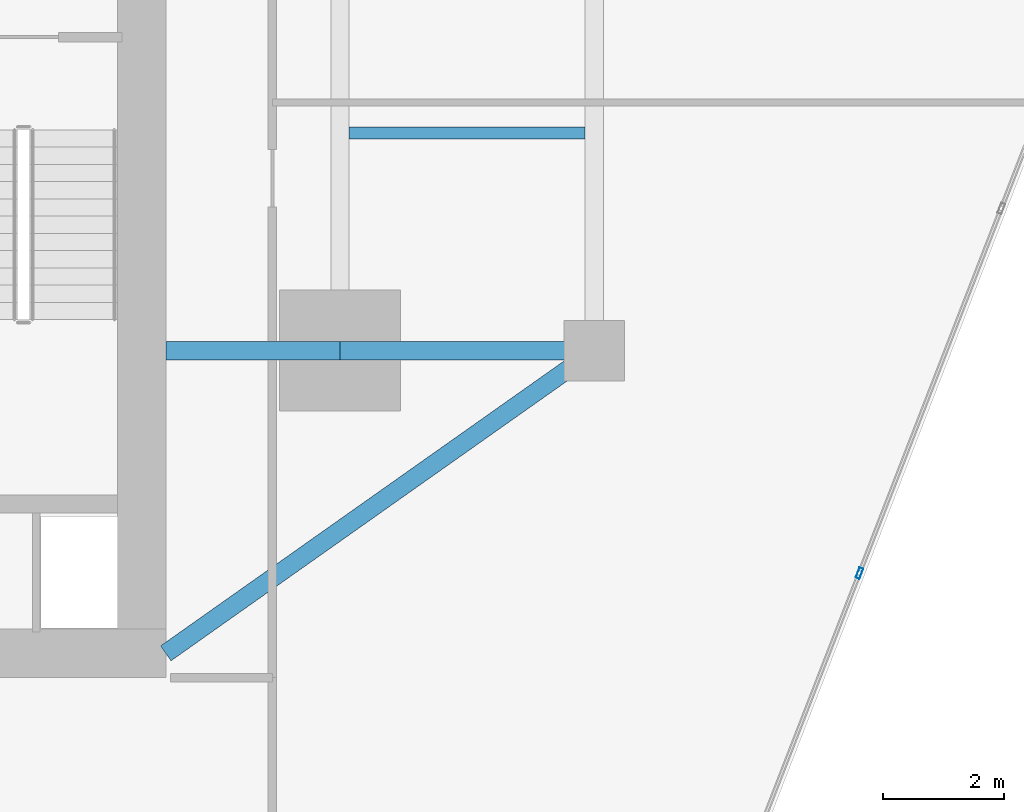
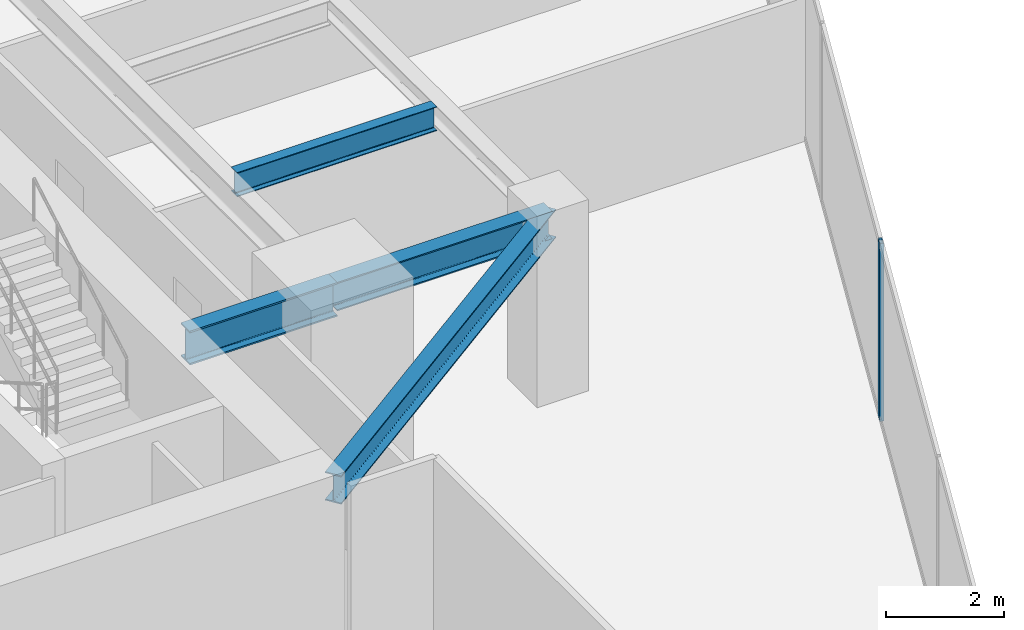
# One storey, part 10 of 26: 4 beams, 1 member, 1 element without a shape of its own.
"""IFC4 building model written with IfcOpenShell, lengths in metres."""

from ifc_helpers import new_model, si_unit, direction, frame, origin, origin_2d, place, context, subcontext, project, spatial, hollow_rectangle, i_section, extrude, source, transform, mapped, material, material_profile, profile_set, type_object, type_shapes, element, aggregate, save


model = new_model("IFC4")

# Units and contexts
model_context = context("Model", 3, precision=1e-05, world=origin(), true_north=direction((0.0, 1.0)))
body_context = subcontext(model_context, "Body", "Model", "MODEL_VIEW")
ifc_project = project(units=[si_unit("LENGTHUNIT", "METRE"), si_unit("AREAUNIT", "SQUARE_METRE"), si_unit("VOLUMEUNIT", "CUBIC_METRE"), si_unit("PLANEANGLEUNIT", "RADIAN"), si_unit("MASSUNIT", "GRAM", prefix="KILO")], contexts=[model_context])

# Site, building, storey
site_placement = place(None, origin())
site = spatial("IfcSite", under=ifc_project, at=site_placement, CompositionType="ELEMENT")
building_placement = place(site_placement, origin())
building = spatial("IfcBuilding", under=site, at=building_placement, Name="Krantzveldt Concourse Tower", CompositionType="ELEMENT")
storey_placement = place(building_placement, frame((0.0, 0.0, 133.5)))
storey = spatial("IfcBuildingStorey", under=building, at=storey_placement, Name="L32", CompositionType="ELEMENT", Elevation=133.5)

# Beams
ifc_material_1 = material(Name="Steel S355J2", Category="steel")
ifc_material_profile_1 = material_profile(ifc_material_1, i_section(OverallWidth=0.300048828125, OverallDepth=0.699951171875, WebThickness=0.01708984375, FlangeThickness=0.031982421875, FilletRadius=0.027099609375, at=origin_2d()), Name="Steel S355J2", Category="steel")
ifc_profile_set_1 = profile_set([ifc_material_profile_1], Name="Steel S355J2 - HEB 700")
beam_type_1 = type_object("IfcBeamType", Name="BM-B-HEB700", PredefinedType="BEAM", material=ifc_profile_set_1)
shared_shape_1 = source(origin(), body_context, "Body", "SweptSolid", [
    extrude(i_section(OverallWidth=0.300048828125, OverallDepth=0.699951171875, WebThickness=0.01708984375, FlangeThickness=0.031982421875, FilletRadius=0.027099609375, at=origin_2d()), origin(), (0.0, 0.0, 1.0), 2.880126953125),
])
type_shapes(beam_type_1, [shared_shape_1])
beam_1_placement = place(storey_placement, frame((43.919921875, 15.89990234375, 3.320068359375), z_axis=(1.0, 0.0, 0.0), x_axis=(0.0, 1.0, 0.0)))
element("IfcBeam", 1, at=beam_1_placement, inside=storey, type_object=beam_type_1, Name="L32 Tower Girder BG-CE1", PredefinedType="BEAM", context=body_context, shape_type="MappedRepresentation", body=[
    mapped(shared_shape_1, transform((0.0, 0.0, 0.0), x_axis=(1.0, 0.0, 0.0), y_axis=(0.0, 1.0, 0.0), z_axis=(0.0, 0.0, 1.0), scale=1.0)),
])
ifc_material_2 = material(Name="Steel S355JR", Category="steel")
ifc_material_profile_2 = material_profile(ifc_material_2, i_section(OverallWidth=0.300048828125, OverallDepth=0.590087890625, WebThickness=0.012939453125, FlangeThickness=0.02490234375, FilletRadius=0.027099609375, at=origin_2d()), Name="Steel S355JR", Category="steel")
ifc_profile_set_2 = profile_set([ifc_material_profile_2], Name="Steel S355JR - HEA 600")
beam_type_2 = type_object("IfcBeamType", Name="BM-B-HEA600", PredefinedType="BEAM", material=ifc_profile_set_2)
shared_shape_2 = source(origin(), body_context, "Body", "SweptSolid", [
    extrude(i_section(OverallWidth=0.300048828125, OverallDepth=0.590087890625, WebThickness=0.012939453125, FlangeThickness=0.02490234375, FilletRadius=0.027099609375, at=origin_2d()), origin(), (0.0, 0.0, 1.0), 4.199951171875),
])
beam_2_placement = place(storey_placement, frame((46.800048828125, 15.89990234375, 3.375), z_axis=(1.0, 0.0, 0.0), x_axis=(0.0, 1.0, 0.0)))
element("IfcBeam", 2, at=beam_2_placement, inside=storey, type_object=beam_type_2, Name="L32 Tower Girder BR-RR1", PredefinedType="BEAM", context=body_context, shape_type="MappedRepresentation", body=[
    mapped(shared_shape_2, transform((0.0, 0.0, 0.0), x_axis=(1.0, 0.0, 0.0), y_axis=(0.0, 1.0, 0.0), z_axis=(0.0, 0.0, 1.0), scale=1.0)),
])
shared_shape_3 = source(origin(), body_context, "Body", "SweptSolid", [
    extrude(i_section(OverallWidth=0.300048828125, OverallDepth=0.590087890625, WebThickness=0.012939453125, FlangeThickness=0.02490234375, FilletRadius=0.027099609375, at=origin_2d()), origin(), (0.0, 0.0, 1.0), 8.667724609375),
])
type_shapes(beam_type_2, [shared_shape_2, shared_shape_3])
beam_3_placement = place(storey_placement, frame((51.0, 15.89990234375, 3.375), z_axis=(-0.81684294656, -0.576860122261, 0.0), x_axis=(0.576860122261, -0.81684294656, 0.0)))
element("IfcBeam", 3, at=beam_3_placement, inside=storey, type_object=beam_type_2, Name="L32 Tower Girder BR-CSE", PredefinedType="BEAM", context=body_context, shape_type="MappedRepresentation", body=[
    mapped(shared_shape_3, transform((0.0, 0.0, 0.0), x_axis=(1.0, 0.0, 0.0), y_axis=(0.0, 1.0, 0.0), z_axis=(0.0, 0.0, 1.0), scale=1.0)),
])
ifc_material_profile_3 = material_profile(ifc_material_2, i_section(OverallWidth=0.199951171875, OverallDepth=0.5, WebThickness=0.01025390625, FlangeThickness=0.01611328125, FilletRadius=0.02099609375, at=origin_2d()), Name="Steel S355JR", Category="steel")
ifc_profile_set_3 = profile_set([ifc_material_profile_3], Name="Steel S355JR - IPE 500")
beam_type_3 = type_object("IfcBeamType", Name="BM-J-IPE500", PredefinedType="JOIST", material=ifc_profile_set_3)
shared_shape_4 = source(origin(), body_context, "Body", "SweptSolid", [
    extrude(i_section(OverallWidth=0.199951171875, OverallDepth=0.5, WebThickness=0.01025390625, FlangeThickness=0.01611328125, FilletRadius=0.02099609375, at=origin_2d()), origin(), (0.0, 0.0, 1.0), 3.900146484375),
])
type_shapes(beam_type_3, [shared_shape_4])
beam_4_placement = place(storey_placement, frame((46.949951171875, 19.5, 3.419921875), z_axis=(1.0, 0.0, 0.0), x_axis=(0.0, 1.0, 0.0)))
element("IfcBeam", 4, at=beam_4_placement, inside=storey, type_object=beam_type_3, Name="L32 Secondary Floor Joist JE-1", PredefinedType="JOIST", context=body_context, shape_type="MappedRepresentation", body=[
    mapped(shared_shape_4, transform((0.0, 0.0, 0.0), x_axis=(1.0, 0.0, 0.0), y_axis=(0.0, 1.0, 0.0), z_axis=(0.0, 0.0, 1.0), scale=1.0)),
])

# Curtain wall, member
ifc_material_3 = material(Name="Anodised aluminium 6063-T6", Category="aluminium")
curtain_wall_type = type_object("IfcCurtainWallType", Name="CW2", PredefinedType="USERDEFINED", material=ifc_material_3)
curtain_wall_placement = place(storey_placement, origin())
curtain_wall = element("IfcCurtainWall", 5, at=curtain_wall_placement, inside=storey, type_object=curtain_wall_type, Name="CW-L32-F11", ObjectType="UNITISED CURTAIN WALL", PredefinedType="USERDEFINED")
ifc_material_profile_4 = material_profile(ifc_material_3, hollow_rectangle(XDim=0.070068359375, YDim=0.179931640625, WallThickness=0.0048828125, at=origin_2d()), Name="Anodised aluminium 6063-T6", Category="aluminium")
ifc_profile_set_4 = profile_set([ifc_material_profile_4], Name="Anodised aluminium 6063-T6 - ALU-MULL 180x70x5")
member_type = type_object("IfcMemberType", Name="CW-MUL-180", PredefinedType="MULLION", material=ifc_profile_set_4)
shared_shape_5 = source(origin(), body_context, "Body", "SweptSolid", [
    extrude(hollow_rectangle(XDim=0.070068359375, YDim=0.179931640625, WallThickness=0.0048828125, at=origin_2d()), origin(), (0.0, 0.0, 1.0), 3.669921875),
])
type_shapes(member_type, [shared_shape_5])
member_placement = place(storey_placement, frame((55.38134765625, 12.224609375, 0.0), z_axis=(0.0, 0.0, 1.0), x_axis=(-0.93200790248, 0.362437952917, 0.0)))
member = element("IfcMember", 6, at=member_placement, type_object=member_type, Name="CW-Z12 mullion 3", PredefinedType="MULLION", context=body_context, shape_type="MappedRepresentation", body=[
    mapped(shared_shape_5, transform((0.0, 0.0, 0.0), x_axis=(1.0, 0.0, 0.0), y_axis=(0.0, 1.0, 0.0), z_axis=(0.0, 0.0, 1.0), scale=1.0)),
])
aggregate(curtain_wall, [member])

save(model, "model.ifc")
